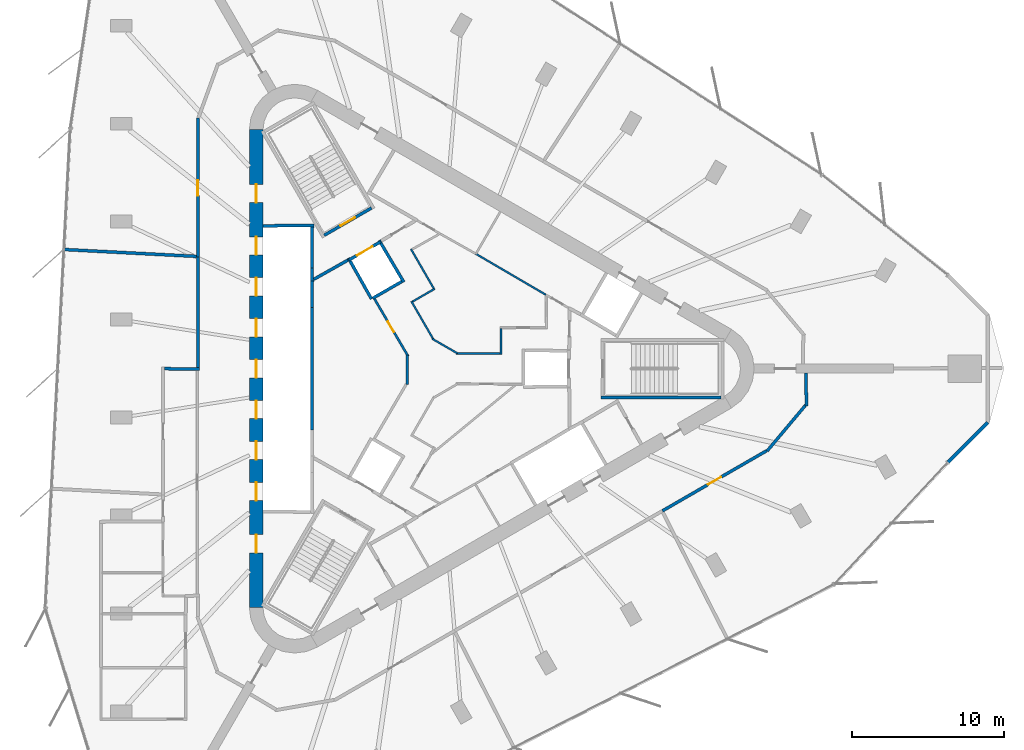
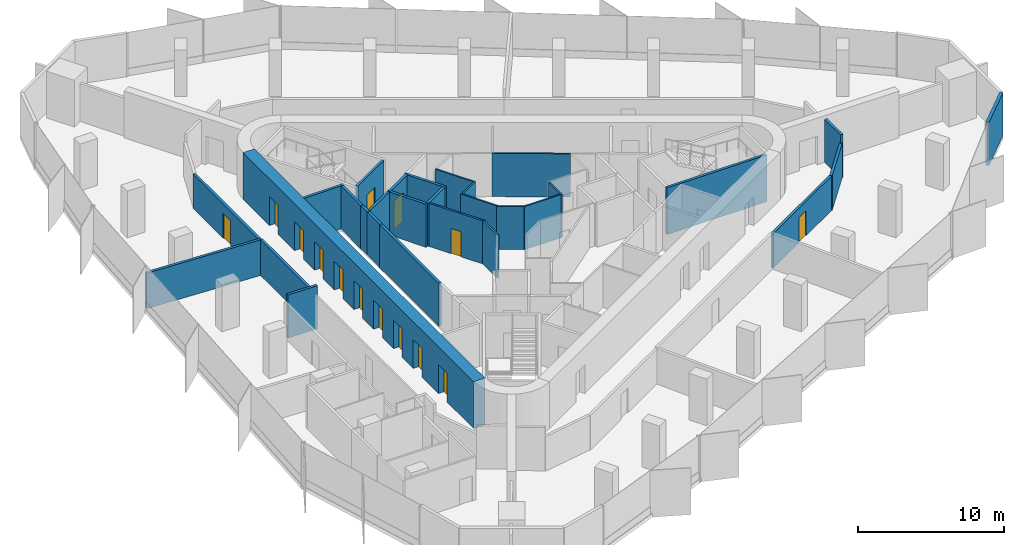
# One storey, part 10 of 13: 30 walls, 14 doors, 14 openings.
"""IFC4 building model written with IfcOpenShell, lengths in metres."""

from ifc_helpers import new_model, si_unit, direction, frame, frame_2d, origin, place, context, subcontext, project, spatial, rectangle, extrude, material, layer, layer_set, type_object, element, fill, save


model = new_model("IFC4")

# Units and contexts
model_context = context("Model", 3, precision=1e-05, world=origin(), true_north=direction((0.0, 1.0)))
body_context = subcontext(model_context, "Body", "Model", "MODEL_VIEW")
ifc_project = project(units=[si_unit("LENGTHUNIT", "METRE"), si_unit("AREAUNIT", "SQUARE_METRE"), si_unit("VOLUMEUNIT", "CUBIC_METRE"), si_unit("PLANEANGLEUNIT", "RADIAN"), si_unit("MASSUNIT", "GRAM", prefix="KILO")], contexts=[model_context])

# Site, building, storey
site_placement = place(None, origin())
site = spatial("IfcSite", under=ifc_project, at=site_placement, CompositionType="ELEMENT")
building_placement = place(site_placement, origin())
building = spatial("IfcBuilding", under=site, at=building_placement, Name="Tanit Gate Tower", CompositionType="ELEMENT")
storey_placement = place(building_placement, frame((0.0, 0.0, 314.300048828125)))
storey = spatial("IfcBuildingStorey", under=building, at=storey_placement, Name="L70", CompositionType="ELEMENT", Elevation=314.300048828125)

# Wall, openings, doors
ifc_material_1 = material(Name="Concrete C40/50", Category="concrete")
ifc_layer_1 = layer(ifc_material_1, 0.89990234375)
ifc_layer_set_1 = layer_set([ifc_layer_1], Name="CORE WALL 900 C40/50")
wall_type_1 = type_object("IfcWallType", Name="CORE WALL 900 C40/50", PredefinedType="SHEAR", material=ifc_layer_set_1)
wall_1_placement = place(storey_placement, frame((-11.64990234375, 15.76171875, 0.0), z_axis=(0.0, 0.0, 1.0), x_axis=(0.0, -1.0, 0.0)))
wall_1 = element("IfcWall", 1, at=wall_1_placement, inside=storey, type_object=wall_type_1, Name="CORE WALL", PredefinedType="SHEAR", context=body_context, shape_type="SweptSolid", body=[
    extrude(rectangle(XDim=31.5234375, YDim=0.89990234375, at=frame_2d((15.76171875, 0.0))), origin(), (0.0, 0.0, 1.0), 3.89990234375),
])
opening_1_placement = place(wall_1_placement, frame((7.061767578125, 0.0, 0.0)))
opening_1 = element("IfcOpeningElement", 2, at=opening_1_placement, cuts=wall_1, Name="Opening LDHL1-S19", PredefinedType="OPENING", context=body_context, shape_type="SweptSolid", body=[
    extrude(rectangle(XDim=1.199951171875, YDim=2.39990234375, at=frame_2d((0.60009765625, 1.199951171875))), frame((0.0, 0.4599609375, 0.0), z_axis=(0.0, -1.0, 0.0), x_axis=(1.0, 0.0, 0.0)), (0.0, 0.0, 1.0), 0.919921875),
])
opening_2_placement = place(wall_1_placement, frame((9.76171875, 0.0, 0.0)))
opening_2 = element("IfcOpeningElement", 3, at=opening_2_placement, cuts=wall_1, Name="Opening LDHL2-S19", PredefinedType="OPENING", context=body_context, shape_type="SweptSolid", body=[
    extrude(rectangle(XDim=1.199951171875, YDim=2.39990234375, at=frame_2d((0.60009765625, 1.199951171875))), frame((0.0, 0.4599609375, 0.0), z_axis=(0.0, -1.0, 0.0), x_axis=(1.0, 0.0, 0.0)), (0.0, 0.0, 1.0), 0.919921875),
])
opening_3_placement = place(wall_1_placement, frame((12.461669921875, 0.0, 0.0)))
opening_3 = element("IfcOpeningElement", 4, at=opening_3_placement, cuts=wall_1, Name="Opening LDHL3-S19", PredefinedType="OPENING", context=body_context, shape_type="SweptSolid", body=[
    extrude(rectangle(XDim=1.199951171875, YDim=2.39990234375, at=frame_2d((0.60009765625, 1.199951171875))), frame((0.0, 0.4599609375, 0.0), z_axis=(0.0, -1.0, 0.0), x_axis=(1.0, 0.0, 0.0)), (0.0, 0.0, 1.0), 0.919921875),
])
opening_4_placement = place(wall_1_placement, frame((15.16162109375, 0.0, 0.0)))
opening_4 = element("IfcOpeningElement", 5, at=opening_4_placement, cuts=wall_1, Name="Opening LDHL4-S19", PredefinedType="OPENING", context=body_context, shape_type="SweptSolid", body=[
    extrude(rectangle(XDim=1.199951171875, YDim=2.39990234375, at=frame_2d((0.60009765625, 1.199951171875))), frame((0.0, 0.4599609375, 0.0), z_axis=(0.0, -1.0, 0.0), x_axis=(1.0, 0.0, 0.0)), (0.0, 0.0, 1.0), 0.919921875),
])
opening_5_placement = place(wall_1_placement, frame((17.86181640625, 0.0, 0.0)))
opening_5 = element("IfcOpeningElement", 6, at=opening_5_placement, cuts=wall_1, Name="Opening LDHL5-S19", PredefinedType="OPENING", context=body_context, shape_type="SweptSolid", body=[
    extrude(rectangle(XDim=1.199951171875, YDim=2.39990234375, at=frame_2d((0.60009765625, 1.199951171875))), frame((0.0, 0.4599609375, 0.0), z_axis=(0.0, -1.0, 0.0), x_axis=(1.0, 0.0, 0.0)), (0.0, 0.0, 1.0), 0.919921875),
])
opening_6_placement = place(wall_1_placement, frame((20.561767578125, 0.0, 0.0)))
opening_6 = element("IfcOpeningElement", 7, at=opening_6_placement, cuts=wall_1, Name="Opening LDHL6-S19", PredefinedType="OPENING", context=body_context, shape_type="SweptSolid", body=[
    extrude(rectangle(XDim=1.199951171875, YDim=2.39990234375, at=frame_2d((0.60009765625, 1.199951171875))), frame((0.0, 0.4599609375, 0.0), z_axis=(0.0, -1.0, 0.0), x_axis=(1.0, 0.0, 0.0)), (0.0, 0.0, 1.0), 0.919921875),
])
opening_7_placement = place(wall_1_placement, frame((23.26171875, 0.0, 0.0)))
opening_7 = element("IfcOpeningElement", 8, at=opening_7_placement, cuts=wall_1, Name="Opening LDHL7-S19", PredefinedType="OPENING", context=body_context, shape_type="SweptSolid", body=[
    extrude(rectangle(XDim=1.199951171875, YDim=2.39990234375, at=frame_2d((0.60009765625, 1.199951171875))), frame((0.0, 0.4599609375, 0.0), z_axis=(0.0, -1.0, 0.0), x_axis=(1.0, 0.0, 0.0)), (0.0, 0.0, 1.0), 0.919921875),
])
opening_8_placement = place(wall_1_placement, frame((3.61181640625, 0.0, 0.0)))
opening_8 = element("IfcOpeningElement", 9, at=opening_8_placement, cuts=wall_1, Name="Opening F12-S19-FL2", PredefinedType="OPENING", context=body_context, shape_type="SweptSolid", body=[
    extrude(rectangle(XDim=1.199951171875, YDim=2.39990234375, at=frame_2d((0.60009765625, 1.199951171875))), frame((0.0, 0.4599609375, 0.0), z_axis=(0.0, -1.0, 0.0), x_axis=(1.0, 0.0, 0.0)), (0.0, 0.0, 1.0), 0.919921875),
])
opening_9_placement = place(wall_1_placement, frame((26.711669921875, 0.0, 0.0)))
opening_9 = element("IfcOpeningElement", 10, at=opening_9_placement, cuts=wall_1, Name="Opening F12-S19-S3", PredefinedType="OPENING", context=body_context, shape_type="SweptSolid", body=[
    extrude(rectangle(XDim=1.199951171875, YDim=2.39990234375, at=frame_2d((0.60009765625, 1.199951171875))), frame((0.0, 0.4599609375, 0.0), z_axis=(0.0, -1.0, 0.0), x_axis=(1.0, 0.0, 0.0)), (0.0, 0.0, 1.0), 0.919921875),
])
ifc_material_2 = material(Name="Fire-rated steel door leaf", Category="steel")
door_type_1 = type_object("IfcDoorType", Name="INT-DOOR-FIRE-LOBBY-1200", OperationType="NOTDEFINED", PredefinedType="USERDEFINED", material=ifc_material_2)
door_1_placement = place(opening_8_placement, origin())
door_1 = element("IfcDoor", 11, at=door_1_placement, inside=storey, type_object=door_type_1, Name="Door F12-S19-FL2", ObjectType="FIRE DOOR", OperationType="SINGLE_SWING_LEFT", OverallHeight=2.39990234375, OverallWidth=1.199951171875, PredefinedType="USERDEFINED", context=body_context, shape_type="SweptSolid", body=[
    extrude(rectangle(XDim=1.199951171875, YDim=2.39990234375, at=frame_2d((0.60009765625, 1.199951171875))), frame((0.0, 0.02490234375, 0.0), z_axis=(0.0, -1.0, 0.0), x_axis=(1.0, 0.0, 0.0)), (0.0, 0.0, 1.0), 0.050048828125),
])
fill(opening_8, door_1)
door_2_placement = place(opening_9_placement, origin())
door_2 = element("IfcDoor", 12, at=door_2_placement, inside=storey, type_object=door_type_1, Name="Door F12-S19-S3", ObjectType="FIRE DOOR", OperationType="SINGLE_SWING_LEFT", OverallHeight=2.39990234375, OverallWidth=1.199951171875, PredefinedType="USERDEFINED", context=body_context, shape_type="SweptSolid", body=[
    extrude(rectangle(XDim=1.199951171875, YDim=2.39990234375, at=frame_2d((0.60009765625, 1.199951171875))), frame((0.0, 0.02490234375, 0.0), z_axis=(0.0, -1.0, 0.0), x_axis=(1.0, 0.0, 0.0)), (0.0, 0.0, 1.0), 0.050048828125),
])
fill(opening_9, door_2)
ifc_material_3 = material(Name="Stainless steel sliding door leaf", Category="steel")
door_type_2 = type_object("IfcDoorType", Name="INT-DOOR-LANDING-1200", OperationType="NOTDEFINED", PredefinedType="USERDEFINED", material=ifc_material_3)
door_3_placement = place(opening_1_placement, origin())
door_3 = element("IfcDoor", 13, at=door_3_placement, inside=storey, type_object=door_type_2, Name="Door LDHL1-S19", ObjectType="LANDING DOOR", OperationType="SLIDING_TO_LEFT", OverallHeight=2.39990234375, OverallWidth=1.199951171875, PredefinedType="USERDEFINED", context=body_context, shape_type="SweptSolid", body=[
    extrude(rectangle(XDim=1.199951171875, YDim=2.39990234375, at=frame_2d((0.60009765625, 1.199951171875))), frame((0.0, 0.02490234375, 0.0), z_axis=(0.0, -1.0, 0.0), x_axis=(1.0, 0.0, 0.0)), (0.0, 0.0, 1.0), 0.050048828125),
])
fill(opening_1, door_3)
door_4_placement = place(opening_2_placement, origin())
door_4 = element("IfcDoor", 14, at=door_4_placement, inside=storey, type_object=door_type_2, Name="Door LDHL2-S19", ObjectType="LANDING DOOR", OperationType="SLIDING_TO_LEFT", OverallHeight=2.39990234375, OverallWidth=1.199951171875, PredefinedType="USERDEFINED", context=body_context, shape_type="SweptSolid", body=[
    extrude(rectangle(XDim=1.199951171875, YDim=2.39990234375, at=frame_2d((0.60009765625, 1.199951171875))), frame((0.0, 0.02490234375, 0.0), z_axis=(0.0, -1.0, 0.0), x_axis=(1.0, 0.0, 0.0)), (0.0, 0.0, 1.0), 0.050048828125),
])
fill(opening_2, door_4)
door_5_placement = place(opening_3_placement, origin())
door_5 = element("IfcDoor", 15, at=door_5_placement, inside=storey, type_object=door_type_2, Name="Door LDHL3-S19", ObjectType="LANDING DOOR", OperationType="SLIDING_TO_LEFT", OverallHeight=2.39990234375, OverallWidth=1.199951171875, PredefinedType="USERDEFINED", context=body_context, shape_type="SweptSolid", body=[
    extrude(rectangle(XDim=1.199951171875, YDim=2.39990234375, at=frame_2d((0.60009765625, 1.199951171875))), frame((0.0, 0.02490234375, 0.0), z_axis=(0.0, -1.0, 0.0), x_axis=(1.0, 0.0, 0.0)), (0.0, 0.0, 1.0), 0.050048828125),
])
fill(opening_3, door_5)
door_6_placement = place(opening_4_placement, origin())
door_6 = element("IfcDoor", 16, at=door_6_placement, inside=storey, type_object=door_type_2, Name="Door LDHL4-S19", ObjectType="LANDING DOOR", OperationType="SLIDING_TO_LEFT", OverallHeight=2.39990234375, OverallWidth=1.199951171875, PredefinedType="USERDEFINED", context=body_context, shape_type="SweptSolid", body=[
    extrude(rectangle(XDim=1.199951171875, YDim=2.39990234375, at=frame_2d((0.60009765625, 1.199951171875))), frame((0.0, 0.02490234375, 0.0), z_axis=(0.0, -1.0, 0.0), x_axis=(1.0, 0.0, 0.0)), (0.0, 0.0, 1.0), 0.050048828125),
])
fill(opening_4, door_6)
door_7_placement = place(opening_5_placement, origin())
door_7 = element("IfcDoor", 17, at=door_7_placement, inside=storey, type_object=door_type_2, Name="Door LDHL5-S19", ObjectType="LANDING DOOR", OperationType="SLIDING_TO_LEFT", OverallHeight=2.39990234375, OverallWidth=1.199951171875, PredefinedType="USERDEFINED", context=body_context, shape_type="SweptSolid", body=[
    extrude(rectangle(XDim=1.199951171875, YDim=2.39990234375, at=frame_2d((0.60009765625, 1.199951171875))), frame((0.0, 0.02490234375, 0.0), z_axis=(0.0, -1.0, 0.0), x_axis=(1.0, 0.0, 0.0)), (0.0, 0.0, 1.0), 0.050048828125),
])
fill(opening_5, door_7)
door_8_placement = place(opening_6_placement, origin())
door_8 = element("IfcDoor", 18, at=door_8_placement, inside=storey, type_object=door_type_2, Name="Door LDHL6-S19", ObjectType="LANDING DOOR", OperationType="SLIDING_TO_LEFT", OverallHeight=2.39990234375, OverallWidth=1.199951171875, PredefinedType="USERDEFINED", context=body_context, shape_type="SweptSolid", body=[
    extrude(rectangle(XDim=1.199951171875, YDim=2.39990234375, at=frame_2d((0.60009765625, 1.199951171875))), frame((0.0, 0.02490234375, 0.0), z_axis=(0.0, -1.0, 0.0), x_axis=(1.0, 0.0, 0.0)), (0.0, 0.0, 1.0), 0.050048828125),
])
fill(opening_6, door_8)
door_9_placement = place(opening_7_placement, origin())
door_9 = element("IfcDoor", 19, at=door_9_placement, inside=storey, type_object=door_type_2, Name="Door LDHL7-S19", ObjectType="LANDING DOOR", OperationType="SLIDING_TO_LEFT", OverallHeight=2.39990234375, OverallWidth=1.199951171875, PredefinedType="USERDEFINED", context=body_context, shape_type="SweptSolid", body=[
    extrude(rectangle(XDim=1.199951171875, YDim=2.39990234375, at=frame_2d((0.60009765625, 1.199951171875))), frame((0.0, 0.02490234375, 0.0), z_axis=(0.0, -1.0, 0.0), x_axis=(1.0, 0.0, 0.0)), (0.0, 0.0, 1.0), 0.050048828125),
])
fill(opening_7, door_9)

# Walls
ifc_material_4 = material(Name="Concrete C30/37 with bronze anodised aluminium cladding", Category="concrete")
ifc_layer_2 = layer(ifc_material_4, 0.239990234375)
ifc_layer_set_2 = layer_set([ifc_layer_2], Name="Facade wall bronze clad 240")
wall_type_2 = type_object("IfcWallType", Name="Facade wall bronze clad 240", PredefinedType="SOLIDWALL", material=ifc_layer_set_2)
wall_2_placement = place(storey_placement, frame((33.988525390625, -6.166015625, 0.0), z_axis=(0.0, 0.0, 1.0), x_axis=(0.707073835035, 0.707139725803, 0.0)))
element("IfcWall", 20, at=wall_2_placement, inside=storey, type_object=wall_type_2, Name="Bronze-clad facade wall L70 E.arc1", PredefinedType="SOLIDWALL", context=body_context, shape_type="SweptSolid", body=[
    extrude(rectangle(XDim=3.705322265625, YDim=0.239990234375, at=frame_2d((1.8525390625, 0.0))), origin(), (0.0, 0.0, 1.0), 3.599853515625),
])
ifc_material_5 = material(Name="Fire-rated gypsum board partition")
ifc_layer_3 = layer(ifc_material_5, 0.199951171875)
ifc_layer_set_3 = layer_set([ifc_layer_3], Name="INT-WALL-COMPARTMENT")
wall_type_3 = type_object("IfcWallType", Name="INT-WALL-COMPARTMENT", PredefinedType="PARTITIONING", material=ifc_layer_set_3)
wall_3_placement = place(storey_placement, frame((-5.600341796875, 7.16015625, 0.0), z_axis=(0.0, 0.0, 1.0), x_axis=(-0.871340486379, -0.490678873396, 0.0)))
element("IfcWall", 21, at=wall_3_placement, inside=storey, type_object=wall_type_3, Name="Wall Compartment W064", PredefinedType="PARTITIONING", context=body_context, shape_type="SweptSolid", body=[
    extrude(rectangle(XDim=2.580810546875, YDim=0.199951171875, at=frame_2d((1.29052734375, 0.0))), origin(), (0.0, 0.0, 1.0), 3.599853515625),
])
wall_4_placement = place(storey_placement, frame((-15.39990234375, -0.03125, 0.0), z_axis=(0.0, 0.0, 1.0), x_axis=(-0.999914782125, 0.013054826261, 0.0)))
element("IfcWall", 22, at=wall_4_placement, inside=storey, type_object=wall_type_3, Name="Wall Compartment W093", PredefinedType="PARTITIONING", context=body_context, shape_type="SweptSolid", body=[
    extrude(rectangle(XDim=2.30029296875, YDim=0.199951171875, at=frame_2d((1.150146484375, 0.0))), origin(), (0.0, 0.0, 1.0), 3.599853515625),
])

# Wall, opening, door
wall_5_placement = place(storey_placement, frame((-15.5, 16.54052734375, 0.0), z_axis=(0.0, 0.0, 1.0), x_axis=(0.0, -1.0, 0.0)))
wall_5 = element("IfcWall", 23, at=wall_5_placement, inside=storey, type_object=wall_type_3, Name="Wall Compartment W101", PredefinedType="PARTITIONING", context=body_context, shape_type="SweptSolid", body=[
    extrude(rectangle(XDim=9.16259765625, YDim=0.199951171875, at=frame_2d((4.581298828125, 0.0))), origin(), (0.0, 0.0, 1.0), 2.8798828125),
])
opening_10_placement = place(wall_5_placement, frame((4.119873046875, 0.0, 0.0)))
opening_10 = element("IfcOpeningElement", 24, at=opening_10_placement, cuts=wall_5, Name="Opening F10-S19-27", PredefinedType="OPENING", context=body_context, shape_type="SweptSolid", body=[
    extrude(rectangle(XDim=1.0, YDim=2.10009765625, at=frame_2d((0.5, 1.050048828125))), frame((0.0, 0.10986328125, 0.0), z_axis=(0.0, -1.0, 0.0), x_axis=(1.0, 0.0, 0.0)), (0.0, 0.0, 1.0), 0.219970703125),
])
ifc_material_6 = material(Name="Fire-rated steel door leaf", Category="steel")
door_type_3 = type_object("IfcDoorType", Name="INT-DOOR-FIRE-1000", OperationType="NOTDEFINED", PredefinedType="USERDEFINED", material=ifc_material_6)
door_10_placement = place(opening_10_placement, origin())
door_10 = element("IfcDoor", 25, at=door_10_placement, inside=storey, type_object=door_type_3, Name="Door F10-S19-27", ObjectType="FIRE DOOR", OperationType="SINGLE_SWING_RIGHT", OverallHeight=2.10009765625, OverallWidth=1.0, PredefinedType="USERDEFINED", context=body_context, shape_type="SweptSolid", body=[
    extrude(rectangle(XDim=1.0, YDim=2.10009765625, at=frame_2d((0.5, 1.050048828125))), frame((0.0, 0.02490234375, 0.0), z_axis=(0.0, -1.0, 0.0), x_axis=(1.0, 0.0, 0.0)), (0.0, 0.0, 1.0), 0.050048828125),
])
fill(opening_10, door_10)

# Walls
wall_6_placement = place(storey_placement, frame((-15.5, 7.3779296875, 0.0), z_axis=(0.0, 0.0, 1.0), x_axis=(0.0, -1.0, 0.0)))
element("IfcWall", 26, at=wall_6_placement, inside=storey, type_object=wall_type_3, Name="Wall Compartment W100", PredefinedType="PARTITIONING", context=body_context, shape_type="SweptSolid", body=[
    extrude(rectangle(XDim=7.307861328125, YDim=0.199951171875, at=frame_2d((3.65380859375, 0.0))), origin(), (0.0, 0.0, 1.0), 2.969970703125),
])
wall_7_placement = place(storey_placement, frame((24.647705078125, -2.46240234375, 0.0), z_axis=(0.0, 0.0, 1.0), x_axis=(-0.012757232068, 0.999918623204, 0.0)))
element("IfcWall", 27, at=wall_7_placement, inside=storey, type_object=wall_type_3, Name="Wall Compartment W110", PredefinedType="PARTITIONING", context=body_context, shape_type="SweptSolid", body=[
    extrude(rectangle(XDim=2.16259765625, YDim=0.199951171875, at=frame_2d((1.081298828125, 0.0))), origin(), (0.0, 0.0, 1.0), 3.599853515625),
])
wall_8_placement = place(storey_placement, frame((22.05419921875, -5.435302734375, 0.0), z_axis=(0.0, 0.0, 1.0), x_axis=(0.642790979996, 0.766041615081, 0.0)))
element("IfcWall", 28, at=wall_8_placement, inside=storey, type_object=wall_type_3, Name="Wall Compartment W111", PredefinedType="PARTITIONING", context=body_context, shape_type="SweptSolid", body=[
    extrude(rectangle(XDim=3.9833984375, YDim=0.199951171875, at=frame_2d((1.99169921875, 0.0))), origin(), (0.0, 0.0, 1.0), 2.8798828125),
])

# Wall, opening, door
wall_9_placement = place(storey_placement, frame((15.15234375, -9.380615234375, 0.0), z_axis=(0.0, 0.0, 1.0), x_axis=(0.866019759539, 0.500009775993, 0.0)))
wall_9 = element("IfcWall", 29, at=wall_9_placement, inside=storey, type_object=wall_type_3, Name="Wall Compartment W112", PredefinedType="PARTITIONING", context=body_context, shape_type="SweptSolid", body=[
    extrude(rectangle(XDim=7.943603515625, YDim=0.199951171875, at=frame_2d((3.9716796875, 0.0))), origin(), (0.0, 0.0, 1.0), 2.8798828125),
])
opening_11_placement = place(wall_9_placement, frame((3.471923828125, 0.0, 0.0)))
opening_11 = element("IfcOpeningElement", 30, at=opening_11_placement, cuts=wall_9, Name="Opening F10-S19-30", PredefinedType="OPENING", context=body_context, shape_type="SweptSolid", body=[
    extrude(rectangle(XDim=1.0, YDim=2.10009765625, at=frame_2d((0.5, 1.050048828125))), frame((0.0, 0.10986328125, 0.0), z_axis=(0.0, -1.0, 0.0), x_axis=(1.0, 0.0, 0.0)), (0.0, 0.0, 1.0), 0.219970703125),
])
door_11_placement = place(opening_11_placement, origin())
door_11 = element("IfcDoor", 31, at=door_11_placement, inside=storey, type_object=door_type_3, Name="Door F10-S19-30", ObjectType="FIRE DOOR", OperationType="SINGLE_SWING_RIGHT", OverallHeight=2.10009765625, OverallWidth=1.0, PredefinedType="USERDEFINED", context=body_context, shape_type="SweptSolid", body=[
    extrude(rectangle(XDim=1.0, YDim=2.10009765625, at=frame_2d((0.5, 1.050048828125))), frame((0.0, 0.02490234375, 0.0), z_axis=(0.0, -1.0, 0.0), x_axis=(1.0, 0.0, 0.0)), (0.0, 0.0, 1.0), 0.050048828125),
])
fill(opening_11, door_11)

# Walls
wall_10_placement = place(storey_placement, frame((-24.326416015625, 7.8603515625, 0.0), z_axis=(0.0, 0.0, 1.0), x_axis=(0.998647308215, -0.051995709386, 0.0)))
element("IfcWall", 32, at=wall_10_placement, inside=storey, type_object=wall_type_3, Name="Wall Compartment W129", PredefinedType="PARTITIONING", context=body_context, shape_type="SweptSolid", body=[
    extrude(rectangle(XDim=8.738037109375, YDim=0.199951171875, at=frame_2d((4.369140625, 0.0))), origin(), (0.0, 0.0, 1.0), 2.969970703125),
])
ifc_material_7 = material(Name="Gypsum board partition")
ifc_layer_4 = layer(ifc_material_7, 0.1201171875)
ifc_layer_set_4 = layer_set([ifc_layer_4], Name="INT-WALL-PARTITION")
wall_type_4 = type_object("IfcWallType", Name="INT-WALL-PARTITION", PredefinedType="PARTITIONING", material=ifc_layer_set_4)
wall_11_placement = place(storey_placement, frame((7.456787109375, 4.875244140625, 0.0), z_axis=(0.0, 0.0, 1.0), x_axis=(-0.863262357411, 0.504755487615, 0.0)))
element("IfcWall", 33, at=wall_11_placement, inside=storey, type_object=wall_type_4, Name="Wall Partition W046", PredefinedType="PARTITIONING", context=body_context, shape_type="SweptSolid", body=[
    extrude(rectangle(XDim=5.370361328125, YDim=0.1201171875, at=frame_2d((2.68505859375, 0.0))), origin(), (0.0, 0.0, 1.0), 3.599853515625),
])
wall_12_placement = place(storey_placement, frame((4.5, 0.93994140625, 0.0), z_axis=(0.0, 0.0, 1.0), x_axis=(0.0, 1.0, 0.0)))
element("IfcWall", 34, at=wall_12_placement, inside=storey, type_object=wall_type_4, Name="Wall Partition W082", PredefinedType="PARTITIONING", context=body_context, shape_type="SweptSolid", body=[
    extrude(rectangle(XDim=1.699951171875, YDim=0.1201171875, at=frame_2d((0.85009765625, 0.0))), origin(), (0.0, 0.0, 1.0), 3.599853515625),
])
wall_13_placement = place(storey_placement, frame((1.54150390625, 1.0, 0.0), z_axis=(0.0, 0.0, 1.0), x_axis=(1.0, 0.0, 0.0)))
element("IfcWall", 35, at=wall_13_placement, inside=storey, type_object=wall_type_4, Name="Wall Partition W083", PredefinedType="PARTITIONING", context=body_context, shape_type="SweptSolid", body=[
    extrude(rectangle(XDim=2.8984375, YDim=0.1201171875, at=frame_2d((1.44921875, 0.0))), origin(), (0.0, 0.0, 1.0), 3.599853515625),
])
wall_14_placement = place(storey_placement, frame((-0.046630859375, 1.97705078125, 0.0), z_axis=(0.0, 0.0, 1.0), x_axis=(0.865998615205, -0.500046396311, 0.0)))
element("IfcWall", 36, at=wall_14_placement, inside=storey, type_object=wall_type_4, Name="Wall Partition W084", PredefinedType="PARTITIONING", context=body_context, shape_type="SweptSolid", body=[
    extrude(rectangle(XDim=1.935302734375, YDim=0.1201171875, at=frame_2d((0.9677734375, 0.0))), origin(), (0.0, 0.0, 1.0), 3.599853515625),
])
wall_15_placement = place(storey_placement, frame((-1.4140625, 4.448974609375, 0.0), z_axis=(0.0, 0.0, 1.0), x_axis=(0.500028961621, -0.866008682139, 0.0)))
element("IfcWall", 37, at=wall_15_placement, inside=storey, type_object=wall_type_4, Name="Wall Partition W085", PredefinedType="PARTITIONING", context=body_context, shape_type="SweptSolid", body=[
    extrude(rectangle(XDim=2.895751953125, YDim=0.1201171875, at=frame_2d((1.44775390625, 0.0))), origin(), (0.0, 0.0, 1.0), 3.599853515625),
])
wall_16_placement = place(storey_placement, frame((0.14013671875, 5.277099609375, 0.0), z_axis=(0.0, 0.0, 1.0), x_axis=(-0.865989465428, -0.500062241894, 0.0)))
element("IfcWall", 38, at=wall_16_placement, inside=storey, type_object=wall_type_4, Name="Wall Partition W086", PredefinedType="PARTITIONING", context=body_context, shape_type="SweptSolid", body=[
    extrude(rectangle(XDim=1.699951171875, YDim=0.1201171875, at=frame_2d((0.85009765625, 0.0))), origin(), (0.0, 0.0, 1.0), 3.599853515625),
])
wall_17_placement = place(storey_placement, frame((-1.441650390625, 7.897216796875, 0.0), z_axis=(0.0, 0.0, 1.0), x_axis=(0.499990139034, -0.866031096941, 0.0)))
element("IfcWall", 39, at=wall_17_placement, inside=storey, type_object=wall_type_4, Name="Wall Partition W087", PredefinedType="PARTITIONING", context=body_context, shape_type="SweptSolid", body=[
    extrude(rectangle(XDim=3.0, YDim=0.1201171875, at=frame_2d((1.5, 0.0))), origin(), (0.0, 0.0, 1.0), 3.599853515625),
])

# Wall, opening, door
ifc_material_8 = material(Name="Fire-rated gypsum board partition")
ifc_layer_5 = layer(ifc_material_8, 0.14990234375)
ifc_layer_set_5 = layer_set([ifc_layer_5], Name="INT-WALL-RISER")
wall_type_5 = type_object("IfcWallType", Name="INT-WALL-RISER", PredefinedType="PLUMBINGWALL", material=ifc_layer_set_5)
wall_18_placement = place(storey_placement, frame((-1.6240234375, 0.814697265625, 0.0), z_axis=(0.0, 0.0, 1.0), x_axis=(-0.505868173579, 0.862610799237, 0.0)))
wall_18 = element("IfcWall", 40, at=wall_18_placement, inside=storey, type_object=wall_type_5, Name="Wall Riser W068", PredefinedType="PLUMBINGWALL", context=body_context, shape_type="SweptSolid", body=[
    extrude(rectangle(XDim=4.382568359375, YDim=0.14990234375, at=frame_2d((2.19140625, 0.0))), origin(), (0.0, 0.0, 1.0), 3.599853515625),
])
opening_12_placement = place(wall_18_placement, frame((1.855224609375, 0.0, 0.0)))
opening_12 = element("IfcOpeningElement", 41, at=opening_12_placement, cuts=wall_18, Name="Opening R08-S19-10", PredefinedType="OPENING", context=body_context, shape_type="SweptSolid", body=[
    extrude(rectangle(XDim=0.800048828125, YDim=2.10009765625, at=frame_2d((0.39990234375, 1.050048828125))), frame((0.0, 0.0849609375, 0.0), z_axis=(0.0, -1.0, 0.0), x_axis=(1.0, 0.0, 0.0)), (0.0, 0.0, 1.0), 0.169921875),
])
ifc_material_9 = material(Name="Timber door leaf", Category="wood")
door_type_4 = type_object("IfcDoorType", Name="INT-DOOR-RISER-800", OperationType="NOTDEFINED", PredefinedType="USERDEFINED", material=ifc_material_9)
door_12_placement = place(opening_12_placement, origin())
door_12 = element("IfcDoor", 42, at=door_12_placement, inside=storey, type_object=door_type_4, Name="Door R08-S19-10", ObjectType="FIRE DOOR", OperationType="SINGLE_SWING_RIGHT", OverallHeight=2.10009765625, OverallWidth=0.800048828125, PredefinedType="USERDEFINED", context=body_context, shape_type="SweptSolid", body=[
    extrude(rectangle(XDim=0.800048828125, YDim=2.10009765625, at=frame_2d((0.39990234375, 1.050048828125))), frame((0.0, 0.02490234375, 0.0), z_axis=(0.0, -1.0, 0.0), x_axis=(1.0, 0.0, 0.0)), (0.0, 0.0, 1.0), 0.050048828125),
])
fill(opening_12, door_12)

# Walls
wall_19_placement = place(storey_placement, frame((-1.688720703125, -1.052978515625, 0.0), z_axis=(0.0, 0.0, 1.0), x_axis=(0.0, 1.0, 0.0)))
element("IfcWall", 43, at=wall_19_placement, inside=storey, type_object=wall_type_5, Name="Wall Riser W069", PredefinedType="PLUMBINGWALL", context=body_context, shape_type="SweptSolid", body=[
    extrude(rectangle(XDim=1.954345703125, YDim=0.14990234375, at=frame_2d((0.97705078125, 0.0))), origin(), (0.0, 0.0, 1.0), 3.599853515625),
])
ifc_material_10 = material(Name="Gypsum shaft wall system")
ifc_layer_6 = layer(ifc_material_10, 0.199951171875)
ifc_layer_set_6 = layer_set([ifc_layer_6], Name="INT-WALL-SHAFT")
wall_type_6 = type_object("IfcWallType", Name="INT-WALL-SHAFT", PredefinedType="PLUMBINGWALL", material=ifc_layer_set_6)
wall_20_placement = place(storey_placement, frame((-11.199951171875, 9.419921875, 0.0), z_axis=(0.0, 0.0, 1.0), x_axis=(0.999957167047, 0.009255488683, 0.0)))
element("IfcWall", 44, at=wall_20_placement, inside=storey, type_object=wall_type_6, Name="Wall Shaft W001", PredefinedType="PLUMBINGWALL", context=body_context, shape_type="SweptSolid", body=[
    extrude(rectangle(XDim=3.35009765625, YDim=0.199951171875, at=frame_2d((1.675048828125, 0.0))), origin(), (0.0, 0.0, 1.0), 3.599853515625),
])
wall_21_placement = place(storey_placement, frame((-7.951171875, 9.35009765625, 0.0), z_axis=(0.0, 0.0, 1.0), x_axis=(-0.011120469654, -0.999938165666, 0.0)))
element("IfcWall", 45, at=wall_21_placement, inside=storey, type_object=wall_type_6, Name="Wall Shaft W002", PredefinedType="PLUMBINGWALL", context=body_context, shape_type="SweptSolid", body=[
    extrude(rectangle(XDim=2.700439453125, YDim=0.199951171875, at=frame_2d((1.35009765625, 0.0))), origin(), (0.0, 0.0, 1.0), 3.599853515625),
])
wall_22_placement = place(storey_placement, frame((-7.97705078125, 6.650146484375, 0.0), z_axis=(0.0, 0.0, 1.0), x_axis=(0.030861509705, -0.999523670164, 0.0)))
element("IfcWall", 46, at=wall_22_placement, inside=storey, type_object=wall_type_6, Name="Wall Shaft W003", PredefinedType="PLUMBINGWALL", context=body_context, shape_type="SweptSolid", body=[
    extrude(rectangle(XDim=0.878173828125, YDim=0.199951171875, at=frame_2d((0.43896484375, 0.0))), origin(), (0.0, 0.0, 1.0), 3.599853515625),
])
wall_23_placement = place(storey_placement, frame((-7.948974609375, 5.894287109375, 0.0), z_axis=(0.0, 0.0, 1.0), x_axis=(-0.016809909365, -0.999858703491, 0.0)))
element("IfcWall", 47, at=wall_23_placement, inside=storey, type_object=wall_type_6, Name="Wall Shaft W004", PredefinedType="PLUMBINGWALL", context=body_context, shape_type="SweptSolid", body=[
    extrude(rectangle(XDim=1.844482421875, YDim=0.199951171875, at=frame_2d((0.92236328125, 0.0))), origin(), (0.0, 0.0, 1.0), 3.599853515625),
])
wall_24_placement = place(storey_placement, frame((-7.97998046875, 4.050048828125, 0.0), z_axis=(0.0, 0.0, 1.0), x_axis=(0.0, -1.0, 0.0)))
element("IfcWall", 48, at=wall_24_placement, inside=storey, type_object=wall_type_6, Name="Wall Shaft W005", PredefinedType="PLUMBINGWALL", context=body_context, shape_type="SweptSolid", body=[
    extrude(rectangle(XDim=8.10009765625, YDim=0.199951171875, at=frame_2d((4.050048828125, 0.0))), origin(), (0.0, 0.0, 1.0), 3.599853515625),
])

# Wall, opening, door
wall_25_placement = place(storey_placement, frame((-5.524169921875, 7.168212890625, 0.0), z_axis=(0.0, 0.0, 1.0), x_axis=(0.866024647952, 0.500001309137, 0.0)))
wall_25 = element("IfcWall", 49, at=wall_25_placement, inside=storey, type_object=wall_type_6, Name="Wall Shaft W032", PredefinedType="PLUMBINGWALL", context=body_context, shape_type="SweptSolid", body=[
    extrude(rectangle(XDim=2.39990234375, YDim=0.199951171875, at=frame_2d((1.199951171875, 0.0))), origin(), (0.0, 0.0, 1.0), 3.599853515625),
])
opening_13_placement = place(wall_25_placement, frame((0.60009765625, 0.0, 0.0)))
opening_13 = element("IfcOpeningElement", 50, at=opening_13_placement, cuts=wall_25, Name="Opening LDFL2-L70", PredefinedType="OPENING", context=body_context, shape_type="SweptSolid", body=[
    extrude(rectangle(XDim=1.199951171875, YDim=2.39990234375, at=frame_2d((0.60009765625, 1.199951171875))), frame((0.0, 0.10986328125, 0.0), z_axis=(0.0, -1.0, 0.0), x_axis=(1.0, 0.0, 0.0)), (0.0, 0.0, 1.0), 0.219970703125),
])
door_13_placement = place(opening_13_placement, origin())
door_13 = element("IfcDoor", 51, at=door_13_placement, inside=storey, type_object=door_type_2, Name="Door LDFL2-L70", ObjectType="LANDING DOOR", OperationType="SLIDING_TO_LEFT", OverallHeight=2.39990234375, OverallWidth=1.199951171875, PredefinedType="USERDEFINED", context=body_context, shape_type="SweptSolid", body=[
    extrude(rectangle(XDim=1.199951171875, YDim=2.39990234375, at=frame_2d((0.60009765625, 1.199951171875))), frame((0.0, 0.02490234375, 0.0), z_axis=(0.0, -1.0, 0.0), x_axis=(1.0, 0.0, 0.0)), (0.0, 0.0, 1.0), 0.050048828125),
])
fill(opening_13, door_13)

# Walls
wall_26_placement = place(storey_placement, frame((-4.039306640625, 4.59619140625, 0.0), z_axis=(0.0, 0.0, 1.0), x_axis=(-0.491322718731, 0.870977603649, 0.0)))
element("IfcWall", 52, at=wall_26_placement, inside=storey, type_object=wall_type_6, Name="Wall Shaft W033", PredefinedType="PLUMBINGWALL", context=body_context, shape_type="SweptSolid", body=[
    extrude(rectangle(XDim=3.10009765625, YDim=0.199951171875, at=frame_2d((1.550048828125, 0.0))), origin(), (0.0, 0.0, 1.0), 3.599853515625),
])
wall_27_placement = place(storey_placement, frame((-3.53759765625, 8.46533203125, 0.0), z_axis=(0.0, 0.0, 1.0), x_axis=(0.508616218331, -0.860993346345, 0.0)))
element("IfcWall", 53, at=wall_27_placement, inside=storey, type_object=wall_type_6, Name="Wall Shaft W034", PredefinedType="PLUMBINGWALL", context=body_context, shape_type="SweptSolid", body=[
    extrude(rectangle(XDim=3.2001953125, YDim=0.199951171875, at=frame_2d((1.60009765625, 0.0))), origin(), (0.0, 0.0, 1.0), 3.599853515625),
])
wall_28_placement = place(storey_placement, frame((-2.04736328125, 5.74609375, 0.0), z_axis=(0.0, 0.0, 1.0), x_axis=(-0.866019606374, -0.500010041276, 0.0)))
element("IfcWall", 54, at=wall_28_placement, inside=storey, type_object=wall_type_6, Name="Wall Shaft W035", PredefinedType="PLUMBINGWALL", context=body_context, shape_type="SweptSolid", body=[
    extrude(rectangle(XDim=2.20458984375, YDim=0.199951171875, at=frame_2d((1.102294921875, 0.0))), origin(), (0.0, 0.0, 1.0), 3.599853515625),
])
ifc_material_11 = material(Name="Concrete C40/50", Category="concrete")
ifc_layer_7 = layer(ifc_material_11, 0.199951171875)
ifc_layer_set_7 = layer_set([ifc_layer_7], Name="INT-WALL-STAIR")
wall_type_7 = type_object("IfcWallType", Name="INT-WALL-STAIR", PredefinedType="SHEAR", material=ifc_layer_set_7)
wall_29_placement = place(storey_placement, frame((11.10009765625, -1.89990234375, -0.300048828125), z_axis=(0.0, 0.0, 1.0), x_axis=(1.0, 0.0, 0.0)))
element("IfcWall", 55, at=wall_29_placement, inside=storey, type_object=wall_type_7, Name="Wall Stair W022", PredefinedType="SHEAR", context=body_context, shape_type="SweptSolid", body=[
    extrude(rectangle(XDim=7.89990234375, YDim=0.199951171875, at=frame_2d((3.949951171875, 0.0))), origin(), (0.0, 0.0, 1.0), 3.89990234375),
])

# Wall, opening, door
wall_30_placement = place(storey_placement, frame((-7.158935546875, 8.799560546875, -0.300048828125), z_axis=(0.0, 0.0, 1.0), x_axis=(0.866047807691, 0.499961193289, 0.0)))
wall_30 = element("IfcWall", 56, at=wall_30_placement, inside=storey, type_object=wall_type_7, Name="Wall Stair W031", PredefinedType="SHEAR", context=body_context, shape_type="SweptSolid", body=[
    extrude(rectangle(XDim=3.599853515625, YDim=0.199951171875, at=frame_2d((1.7998046875, 0.0))), origin(), (0.0, 0.0, 1.0), 3.89990234375),
])
opening_14_placement = place(wall_30_placement, frame((1.25, 0.0, 0.300048828125)))
opening_14 = element("IfcOpeningElement", 57, at=opening_14_placement, cuts=wall_30, Name="Opening S11-S19-04", PredefinedType="OPENING", context=body_context, shape_type="SweptSolid", body=[
    extrude(rectangle(XDim=1.10009765625, YDim=2.10009765625, at=frame_2d((0.550048828125, 1.050048828125))), frame((0.0, 0.10986328125, 0.0), z_axis=(0.0, -1.0, 0.0), x_axis=(1.0, 0.0, 0.0)), (0.0, 0.0, 1.0), 0.219970703125),
])
ifc_material_12 = material(Name="Timber door leaf", Category="wood")
door_type_5 = type_object("IfcDoorType", Name="INT-DOOR-STAIR-1100", OperationType="NOTDEFINED", PredefinedType="USERDEFINED", material=ifc_material_12)
door_14_placement = place(opening_14_placement, origin())
door_14 = element("IfcDoor", 58, at=door_14_placement, inside=storey, type_object=door_type_5, Name="Door S11-S19-04", ObjectType="FIRE DOOR", OperationType="SINGLE_SWING_RIGHT", OverallHeight=2.10009765625, OverallWidth=1.10009765625, PredefinedType="USERDEFINED", context=body_context, shape_type="SweptSolid", body=[
    extrude(rectangle(XDim=1.10009765625, YDim=2.10009765625, at=frame_2d((0.550048828125, 1.050048828125))), frame((0.0, 0.02490234375, 0.0), z_axis=(0.0, -1.0, 0.0), x_axis=(1.0, 0.0, 0.0)), (0.0, 0.0, 1.0), 0.050048828125),
])
fill(opening_14, door_14)

save(model, "model.ifc")
